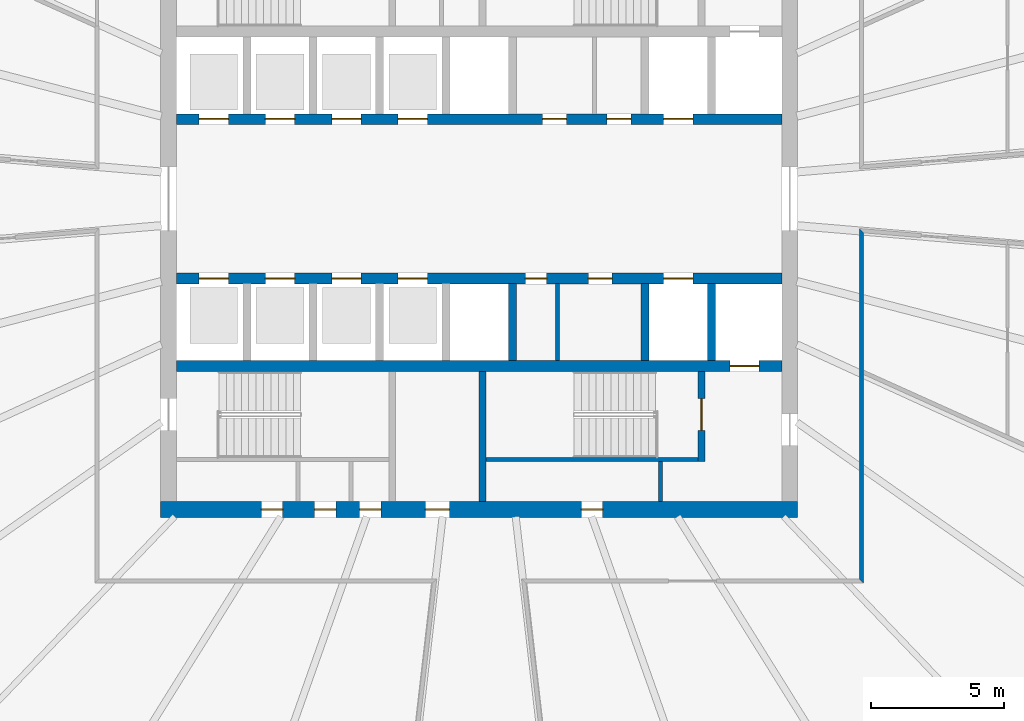
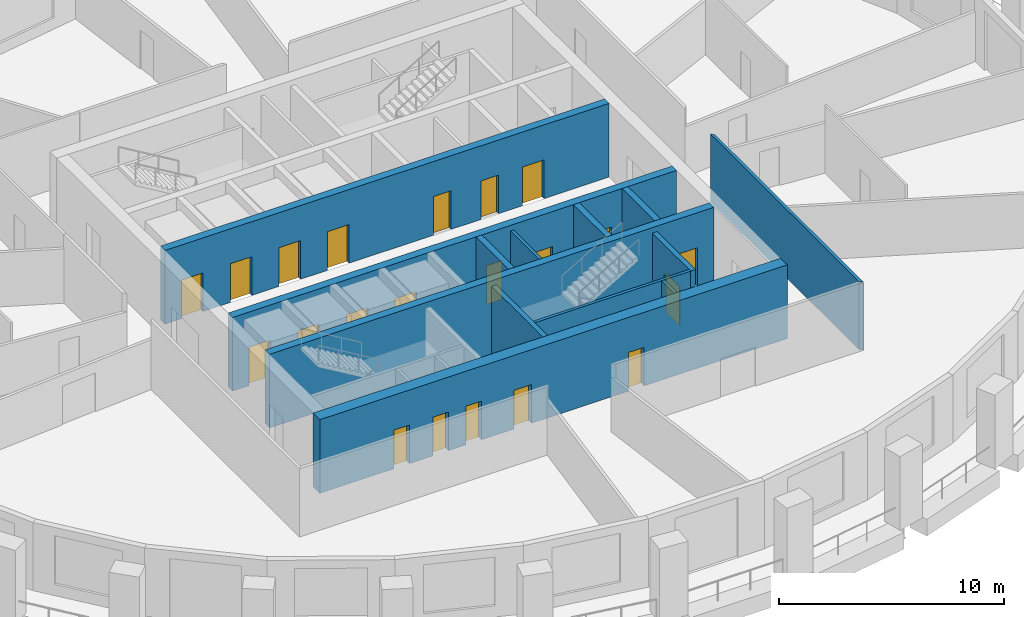
# One storey, part 4 of 10: 21 doors, 13 walls, 21 openings.
"""IFC4 building model written with IfcOpenShell, lengths in metres."""

from ifc_helpers import new_model, si_unit, direction, frame, frame_2d, origin, place, context, subcontext, project, spatial, polyline, rectangle, outline, extrude, material, layer, layer_set, type_object, element, fill, save


model = new_model("IFC4")

# Units and contexts
model_context = context("Model", 3, precision=1e-05, world=origin(), true_north=direction((0.0, 1.0)))
body_context = subcontext(model_context, "Body", "Model", "MODEL_VIEW")
ifc_project = project(units=[si_unit("LENGTHUNIT", "METRE"), si_unit("AREAUNIT", "SQUARE_METRE"), si_unit("VOLUMEUNIT", "CUBIC_METRE"), si_unit("PLANEANGLEUNIT", "RADIAN"), si_unit("MASSUNIT", "GRAM", prefix="KILO")], contexts=[model_context])

# Site, building, storey
site_placement = place(None, origin())
site = spatial("IfcSite", under=ifc_project, at=site_placement, CompositionType="ELEMENT")
building_placement = place(site_placement, origin())
building = spatial("IfcBuilding", under=site, at=building_placement, Name="Halqa Exchange Tower", CompositionType="ELEMENT")
storey_placement = place(building_placement, frame((0.0, 0.0, 186.89990234375)))
storey = spatial("IfcBuildingStorey", under=building, at=storey_placement, Name="L42", CompositionType="ELEMENT", Elevation=186.89990234375)

# Walls
ifc_material_1 = material(Name="Fire-rated gypsum board")
ifc_layer_1 = layer(ifc_material_1, 0.14990234375)
ifc_layer_set_1 = layer_set([ifc_layer_1], Name="Fire-rated gypsum board")
wall_type_1 = type_object("IfcWallType", Name="Fire partition EI 60 150", PredefinedType="PARTITIONING", material=ifc_layer_set_1)
wall_1_placement = place(storey_placement, frame((14.39990234375, -14.47509765625, 0.0), z_axis=(0.0, 0.0, 1.0), x_axis=(0.0, 1.0, 0.0)))
element("IfcWall", 1, at=wall_1_placement, inside=storey, type_object=wall_type_1, Name="L42-PWL-019", PredefinedType="PARTITIONING", context=body_context, shape_type="SweptSolid", body=[
    extrude(outline(polyline([(0.000244140625, -0.074951171875), (1.885009765625, -0.074951171875), (3.769775390625, -0.074951171875), (5.654541015625, -0.074951171875), (7.539306640625, -0.074951171875), (9.424072265625, -0.074951171875), (11.308837890625, -0.074951171875), (13.193603515625, -0.074951171875), (13.356689453125, 0.074951171875), (11.469970703125, 0.074951171875), (9.58349609375, 0.074951171875), (7.69677734375, 0.074951171875), (5.81005859375, 0.074951171875), (3.92333984375, 0.074951171875), (2.036865234375, 0.074951171875), (0.150146484375, 0.074951171875), (0.000244140625, -0.074951171875)])), origin(), (0.0, 0.0, 1.0), 3.7001953125),
])
ifc_material_2 = material(Name="Gypsum board")
ifc_layer_2 = layer(ifc_material_2, 0.14990234375)
ifc_layer_set_2 = layer_set([ifc_layer_2], Name="Gypsum board")
wall_type_2 = type_object("IfcWallType", Name="Penthouse riser wall 150 gypsum", PredefinedType="PARTITIONING", material=ifc_layer_set_2)
wall_2_placement = place(storey_placement, frame((6.824951171875, -11.39990234375, 0.0), z_axis=(0.0, 0.0, 1.0), x_axis=(0.0, 1.0, 0.0)))
element("IfcWall", 2, at=wall_2_placement, inside=storey, type_object=wall_type_2, Name="Firefighting lobby west wall S", PredefinedType="PARTITIONING", context=body_context, shape_type="SweptSolid", body=[
    extrude(rectangle(XDim=1.5, YDim=0.14990234375, at=frame_2d((0.75, 0.0))), origin(), (0.0, 0.0, 1.0), 3.7001953125),
])
wall_3_placement = place(storey_placement, frame((2.949951171875, -6.10009765625, 0.0), z_axis=(0.0, 0.0, 1.0), x_axis=(0.0, 1.0, 0.0)))
element("IfcWall", 3, at=wall_3_placement, inside=storey, type_object=wall_type_2, Name="Freed bay partition SE2.950", PredefinedType="PARTITIONING", context=body_context, shape_type="SweptSolid", body=[
    extrude(rectangle(XDim=2.900146484375, YDim=0.14990234375, at=frame_2d((1.4501953125, 0.0))), origin(), (0.0, 0.0, 1.0), 3.7001953125),
])
ifc_material_3 = material(Name="Concrete C60/75", Category="concrete")
ifc_layer_3 = layer(ifc_material_3, 0.300048828125)
ifc_layer_set_3 = layer_set([ifc_layer_3], Name="Concrete C60/75")
wall_type_3 = type_object("IfcWallType", Name="RC core wall 300", PredefinedType="SHEAR", material=ifc_layer_set_3)
for number, where, z_axis, x_axis, name in (
    (4, (1.25, -6.10009765625, 0.0), (0.0, 0.0, 1.0), (0.0, 1.0, 0.0), "Shaft divider S5"),
    (5, (6.25, -6.10009765625, 0.0), (0.0, 0.0, 1.0), (0.0, 1.0, 0.0), "Shaft divider S7"),
    (6, (8.75, -6.10009765625, 0.0), (0.0, 0.0, 1.0), (0.0, 1.0, 0.0), "Shaft divider S8"),
):
    element("IfcWall", number, at=place(storey_placement, frame(where, z_axis=z_axis, x_axis=x_axis)), inside=storey, type_object=wall_type_3, Name=name, PredefinedType="SHEAR", context=body_context, shape_type="SweptSolid", body=[
        extrude(rectangle(XDim=2.900146484375, YDim=0.300048828125, at=frame_2d((1.4501953125, 0.0))), origin(), (0.0, 0.0, 1.0), 4.0),
    ])

# Wall, openings, doors
ifc_material_4 = material(Name="Concrete C70/85", Category="concrete")
ifc_layer_4 = layer(ifc_material_4, 0.39990234375)
ifc_layer_set_4 = layer_set([ifc_layer_4], Name="Concrete C70/85")
wall_type_4 = type_object("IfcWallType", Name="RC core wall 400 C70/85", PredefinedType="SHEAR", material=ifc_layer_set_4)
wall_4_placement = place(storey_placement, frame((-11.39990234375, 3.0, 0.0), z_axis=(0.0, 0.0, 1.0), x_axis=(1.0, 0.0, 0.0)))
wall_4 = element("IfcWall", 7, at=wall_4_placement, inside=storey, type_object=wall_type_4, Name="Lift row front wall N", PredefinedType="SHEAR", context=body_context, shape_type="SweptSolid", body=[
    extrude(rectangle(XDim=22.7998046875, YDim=0.39990234375, at=frame_2d((11.39990234375, 0.0))), origin(), (0.0, 0.0, 1.0), 4.0),
])
opening_1_placement = place(wall_4_placement, frame((0.85009765625, 0.0, 0.0)))
opening_1 = element("IfcOpeningElement", 8, at=opening_1_placement, cuts=wall_4, Name="Opening LD-HR1-T12", PredefinedType="OPENING", context=body_context, shape_type="SweptSolid", body=[
    extrude(rectangle(XDim=1.10009765625, YDim=2.10009765625, at=frame_2d((0.550048828125, 1.050048828125))), frame((0.0, 0.2119140625, 0.0), z_axis=(0.0, -1.0, 0.0), x_axis=(1.0, 0.0, 0.0)), (0.0, 0.0, 1.0), 0.423828125),
])
opening_2_placement = place(wall_4_placement, frame((3.35009765625, 0.0, 0.0)))
opening_2 = element("IfcOpeningElement", 9, at=opening_2_placement, cuts=wall_4, Name="Opening LD-HR2-T12", PredefinedType="OPENING", context=body_context, shape_type="SweptSolid", body=[
    extrude(rectangle(XDim=1.10009765625, YDim=2.10009765625, at=frame_2d((0.550048828125, 1.050048828125))), frame((0.0, 0.2119140625, 0.0), z_axis=(0.0, -1.0, 0.0), x_axis=(1.0, 0.0, 0.0)), (0.0, 0.0, 1.0), 0.423828125),
])
opening_3_placement = place(wall_4_placement, frame((5.85009765625, 0.0, 0.0)))
opening_3 = element("IfcOpeningElement", 10, at=opening_3_placement, cuts=wall_4, Name="Opening LD-MR1-T12", PredefinedType="OPENING", context=body_context, shape_type="SweptSolid", body=[
    extrude(rectangle(XDim=1.10009765625, YDim=2.10009765625, at=frame_2d((0.550048828125, 1.050048828125))), frame((0.0, 0.2119140625, 0.0), z_axis=(0.0, -1.0, 0.0), x_axis=(1.0, 0.0, 0.0)), (0.0, 0.0, 1.0), 0.423828125),
])
opening_4_placement = place(wall_4_placement, frame((8.35009765625, 0.0, 0.0)))
opening_4 = element("IfcOpeningElement", 11, at=opening_4_placement, cuts=wall_4, Name="Opening LD-MR2-T12", PredefinedType="OPENING", context=body_context, shape_type="SweptSolid", body=[
    extrude(rectangle(XDim=1.10009765625, YDim=2.10009765625, at=frame_2d((0.550048828125, 1.050048828125))), frame((0.0, 0.2119140625, 0.0), z_axis=(0.0, -1.0, 0.0), x_axis=(1.0, 0.0, 0.0)), (0.0, 0.0, 1.0), 0.423828125),
])
opening_5_placement = place(wall_4_placement, frame((18.35009765625, 0.0, 0.0)))
opening_5 = element("IfcOpeningElement", 12, at=opening_5_placement, cuts=wall_4, Name="Opening LD-SV1-T12", PredefinedType="OPENING", context=body_context, shape_type="SweptSolid", body=[
    extrude(rectangle(XDim=1.10009765625, YDim=2.10009765625, at=frame_2d((0.550048828125, 1.050048828125))), frame((0.0, 0.2119140625, 0.0), z_axis=(0.0, -1.0, 0.0), x_axis=(1.0, 0.0, 0.0)), (0.0, 0.0, 1.0), 0.423828125),
])
opening_6_placement = place(wall_4_placement, frame((13.78759765625, 0.0, 0.0)))
opening_6 = element("IfcOpeningElement", 13, at=opening_6_placement, cuts=wall_4, Name="Opening T12-C31", PredefinedType="OPENING", context=body_context, shape_type="SweptSolid", body=[
    extrude(rectangle(XDim=0.89990234375, YDim=2.10009765625, at=frame_2d((0.449951171875, 1.050048828125))), frame((0.0, 0.2119140625, 0.0), z_axis=(0.0, -1.0, 0.0), x_axis=(1.0, 0.0, 0.0)), (0.0, 0.0, 1.0), 0.423828125),
])
opening_7_placement = place(wall_4_placement, frame((16.21240234375, 0.0, 0.0)))
opening_7 = element("IfcOpeningElement", 14, at=opening_7_placement, cuts=wall_4, Name="Opening T12-C32", PredefinedType="OPENING", context=body_context, shape_type="SweptSolid", body=[
    extrude(rectangle(XDim=0.89990234375, YDim=2.10009765625, at=frame_2d((0.449951171875, 1.050048828125))), frame((0.0, 0.2119140625, 0.0), z_axis=(0.0, -1.0, 0.0), x_axis=(1.0, 0.0, 0.0)), (0.0, 0.0, 1.0), 0.423828125),
])
ifc_material_5 = material(Name="Timber fire door leaf", Category="wood")
door_type_1 = type_object("IfcDoorType", Name="Core room door FD30 900 x 2100", OperationType="SINGLE_SWING_LEFT", PredefinedType="DOOR", material=ifc_material_5)
door_1_placement = place(opening_6_placement, origin())
door_1 = element("IfcDoor", 15, at=door_1_placement, inside=storey, type_object=door_type_1, Name="Core room door", OperationType="SINGLE_SWING_RIGHT", OverallHeight=2.10009765625, OverallWidth=0.89990234375, PredefinedType="DOOR", context=body_context, shape_type="SweptSolid", body=[
    extrude(rectangle(XDim=0.89990234375, YDim=2.10009765625, at=frame_2d((0.449951171875, 1.050048828125))), frame((0.0, 0.02490234375, 0.0), z_axis=(0.0, -1.0, 0.0), x_axis=(1.0, 0.0, 0.0)), (0.0, 0.0, 1.0), 0.050048828125),
])
fill(opening_6, door_1)
door_2_placement = place(opening_7_placement, origin())
door_2 = element("IfcDoor", 16, at=door_2_placement, inside=storey, type_object=door_type_1, Name="Core room door", OperationType="SINGLE_SWING_RIGHT", OverallHeight=2.10009765625, OverallWidth=0.89990234375, PredefinedType="DOOR", context=body_context, shape_type="SweptSolid", body=[
    extrude(rectangle(XDim=0.89990234375, YDim=2.10009765625, at=frame_2d((0.449951171875, 1.050048828125))), frame((0.0, 0.02490234375, 0.0), z_axis=(0.0, -1.0, 0.0), x_axis=(1.0, 0.0, 0.0)), (0.0, 0.0, 1.0), 0.050048828125),
])
fill(opening_7, door_2)
ifc_material_6 = material(Name="Stainless steel", Category="steel")
door_type_2 = type_object("IfcDoorType", Name="Lift landing door 1100 x 2100", OperationType="SLIDING_TO_LEFT", PredefinedType="DOOR", material=ifc_material_6)
door_3_placement = place(opening_1_placement, origin())
door_3 = element("IfcDoor", 17, at=door_3_placement, inside=storey, type_object=door_type_2, Name="Lift landing door HR1", OperationType="SLIDING_TO_LEFT", OverallHeight=2.10009765625, OverallWidth=1.10009765625, PredefinedType="DOOR", context=body_context, shape_type="SweptSolid", body=[
    extrude(rectangle(XDim=1.10009765625, YDim=2.10009765625, at=frame_2d((0.550048828125, 1.050048828125))), frame((0.0, 0.02490234375, 0.0), z_axis=(0.0, -1.0, 0.0), x_axis=(1.0, 0.0, 0.0)), (0.0, 0.0, 1.0), 0.050048828125),
])
fill(opening_1, door_3)
door_4_placement = place(opening_2_placement, origin())
door_4 = element("IfcDoor", 18, at=door_4_placement, inside=storey, type_object=door_type_2, Name="Lift landing door HR2", OperationType="SLIDING_TO_LEFT", OverallHeight=2.10009765625, OverallWidth=1.10009765625, PredefinedType="DOOR", context=body_context, shape_type="SweptSolid", body=[
    extrude(rectangle(XDim=1.10009765625, YDim=2.10009765625, at=frame_2d((0.550048828125, 1.050048828125))), frame((0.0, 0.02490234375, 0.0), z_axis=(0.0, -1.0, 0.0), x_axis=(1.0, 0.0, 0.0)), (0.0, 0.0, 1.0), 0.050048828125),
])
fill(opening_2, door_4)
door_5_placement = place(opening_3_placement, origin())
door_5 = element("IfcDoor", 19, at=door_5_placement, inside=storey, type_object=door_type_2, Name="Lift landing door MR1", OperationType="SLIDING_TO_LEFT", OverallHeight=2.10009765625, OverallWidth=1.10009765625, PredefinedType="DOOR", context=body_context, shape_type="SweptSolid", body=[
    extrude(rectangle(XDim=1.10009765625, YDim=2.10009765625, at=frame_2d((0.550048828125, 1.050048828125))), frame((0.0, 0.02490234375, 0.0), z_axis=(0.0, -1.0, 0.0), x_axis=(1.0, 0.0, 0.0)), (0.0, 0.0, 1.0), 0.050048828125),
])
fill(opening_3, door_5)
door_6_placement = place(opening_4_placement, origin())
door_6 = element("IfcDoor", 20, at=door_6_placement, inside=storey, type_object=door_type_2, Name="Lift landing door MR2", OperationType="SLIDING_TO_LEFT", OverallHeight=2.10009765625, OverallWidth=1.10009765625, PredefinedType="DOOR", context=body_context, shape_type="SweptSolid", body=[
    extrude(rectangle(XDim=1.10009765625, YDim=2.10009765625, at=frame_2d((0.550048828125, 1.050048828125))), frame((0.0, 0.02490234375, 0.0), z_axis=(0.0, -1.0, 0.0), x_axis=(1.0, 0.0, 0.0)), (0.0, 0.0, 1.0), 0.050048828125),
])
fill(opening_4, door_6)
door_7_placement = place(opening_5_placement, origin())
door_7 = element("IfcDoor", 21, at=door_7_placement, inside=storey, type_object=door_type_2, Name="Lift landing door SV1", OperationType="SLIDING_TO_LEFT", OverallHeight=2.10009765625, OverallWidth=1.10009765625, PredefinedType="DOOR", context=body_context, shape_type="SweptSolid", body=[
    extrude(rectangle(XDim=1.10009765625, YDim=2.10009765625, at=frame_2d((0.550048828125, 1.050048828125))), frame((0.0, 0.02490234375, 0.0), z_axis=(0.0, -1.0, 0.0), x_axis=(1.0, 0.0, 0.0)), (0.0, 0.0, 1.0), 0.050048828125),
])
fill(opening_5, door_7)

wall_5_placement = place(storey_placement, frame((-11.39990234375, -3.0, 0.0), z_axis=(0.0, 0.0, 1.0), x_axis=(1.0, 0.0, 0.0)))
wall_5 = element("IfcWall", 22, at=wall_5_placement, inside=storey, type_object=wall_type_4, Name="Lift row front wall S", PredefinedType="SHEAR", context=body_context, shape_type="SweptSolid", body=[
    extrude(rectangle(XDim=22.7998046875, YDim=0.39990234375, at=frame_2d((11.39990234375, 0.0))), origin(), (0.0, 0.0, 1.0), 4.0),
])
opening_8_placement = place(wall_5_placement, frame((0.85009765625, 0.0, 0.0)))
opening_8 = element("IfcOpeningElement", 23, at=opening_8_placement, cuts=wall_5, Name="Opening LD-HR3-T12", PredefinedType="OPENING", context=body_context, shape_type="SweptSolid", body=[
    extrude(rectangle(XDim=1.10009765625, YDim=2.10009765625, at=frame_2d((0.550048828125, 1.050048828125))), frame((0.0, 0.2119140625, 0.0), z_axis=(0.0, -1.0, 0.0), x_axis=(1.0, 0.0, 0.0)), (0.0, 0.0, 1.0), 0.423828125),
])
opening_9_placement = place(wall_5_placement, frame((3.35009765625, 0.0, 0.0)))
opening_9 = element("IfcOpeningElement", 24, at=opening_9_placement, cuts=wall_5, Name="Opening LD-HR4-T12", PredefinedType="OPENING", context=body_context, shape_type="SweptSolid", body=[
    extrude(rectangle(XDim=1.10009765625, YDim=2.10009765625, at=frame_2d((0.550048828125, 1.050048828125))), frame((0.0, 0.2119140625, 0.0), z_axis=(0.0, -1.0, 0.0), x_axis=(1.0, 0.0, 0.0)), (0.0, 0.0, 1.0), 0.423828125),
])
opening_10_placement = place(wall_5_placement, frame((5.85009765625, 0.0, 0.0)))
opening_10 = element("IfcOpeningElement", 25, at=opening_10_placement, cuts=wall_5, Name="Opening LD-MR3-T12", PredefinedType="OPENING", context=body_context, shape_type="SweptSolid", body=[
    extrude(rectangle(XDim=1.10009765625, YDim=2.10009765625, at=frame_2d((0.550048828125, 1.050048828125))), frame((0.0, 0.2119140625, 0.0), z_axis=(0.0, -1.0, 0.0), x_axis=(1.0, 0.0, 0.0)), (0.0, 0.0, 1.0), 0.423828125),
])
opening_11_placement = place(wall_5_placement, frame((8.35009765625, 0.0, 0.0)))
opening_11 = element("IfcOpeningElement", 26, at=opening_11_placement, cuts=wall_5, Name="Opening LD-MR4-T12", PredefinedType="OPENING", context=body_context, shape_type="SweptSolid", body=[
    extrude(rectangle(XDim=1.10009765625, YDim=2.10009765625, at=frame_2d((0.550048828125, 1.050048828125))), frame((0.0, 0.2119140625, 0.0), z_axis=(0.0, -1.0, 0.0), x_axis=(1.0, 0.0, 0.0)), (0.0, 0.0, 1.0), 0.423828125),
])
opening_12_placement = place(wall_5_placement, frame((18.35009765625, 0.0, 0.0)))
opening_12 = element("IfcOpeningElement", 27, at=opening_12_placement, cuts=wall_5, Name="Opening LD-SV2-T12", PredefinedType="OPENING", context=body_context, shape_type="SweptSolid", body=[
    extrude(rectangle(XDim=1.10009765625, YDim=2.10009765625, at=frame_2d((0.550048828125, 1.050048828125))), frame((0.0, 0.2119140625, 0.0), z_axis=(0.0, -1.0, 0.0), x_axis=(1.0, 0.0, 0.0)), (0.0, 0.0, 1.0), 0.423828125),
])
opening_13_placement = place(wall_5_placement, frame((13.137451171875, 0.0, 0.0)))
opening_13 = element("IfcOpeningElement", 28, at=opening_13_placement, cuts=wall_5, Name="Opening T12-C33", PredefinedType="OPENING", context=body_context, shape_type="SweptSolid", body=[
    extrude(rectangle(XDim=0.800048828125, YDim=2.10009765625, at=frame_2d((0.39990234375, 1.050048828125))), frame((0.0, 0.2119140625, 0.0), z_axis=(0.0, -1.0, 0.0), x_axis=(1.0, 0.0, 0.0)), (0.0, 0.0, 1.0), 0.423828125),
])
opening_14_placement = place(wall_5_placement, frame((15.512451171875, 0.0, 0.0)))
opening_14 = element("IfcOpeningElement", 29, at=opening_14_placement, cuts=wall_5, Name="Opening T12-C34", PredefinedType="OPENING", context=body_context, shape_type="SweptSolid", body=[
    extrude(rectangle(XDim=0.89990234375, YDim=2.10009765625, at=frame_2d((0.449951171875, 1.050048828125))), frame((0.0, 0.2119140625, 0.0), z_axis=(0.0, -1.0, 0.0), x_axis=(1.0, 0.0, 0.0)), (0.0, 0.0, 1.0), 0.423828125),
])
door_8_placement = place(opening_14_placement, frame((0.89990234375, 0.0, 0.0), z_axis=(0.0, 0.0, 1.0), x_axis=(-1.0, 0.0, 0.0)))
door_8 = element("IfcDoor", 30, at=door_8_placement, inside=storey, type_object=door_type_1, Name="Core room door", OperationType="SINGLE_SWING_RIGHT", OverallHeight=2.10009765625, OverallWidth=0.89990234375, PredefinedType="DOOR", context=body_context, shape_type="SweptSolid", body=[
    extrude(rectangle(XDim=0.89990234375, YDim=2.10009765625, at=frame_2d((0.449951171875, 1.050048828125))), frame((0.0, 0.02490234375, 0.0), z_axis=(0.0, -1.0, 0.0), x_axis=(1.0, 0.0, 0.0)), (0.0, 0.0, 1.0), 0.050048828125),
])
fill(opening_14, door_8)
door_9_placement = place(opening_8_placement, origin())
door_9 = element("IfcDoor", 31, at=door_9_placement, inside=storey, type_object=door_type_2, Name="Lift landing door HR3", OperationType="SLIDING_TO_LEFT", OverallHeight=2.10009765625, OverallWidth=1.10009765625, PredefinedType="DOOR", context=body_context, shape_type="SweptSolid", body=[
    extrude(rectangle(XDim=1.10009765625, YDim=2.10009765625, at=frame_2d((0.550048828125, 1.050048828125))), frame((0.0, 0.02490234375, 0.0), z_axis=(0.0, -1.0, 0.0), x_axis=(1.0, 0.0, 0.0)), (0.0, 0.0, 1.0), 0.050048828125),
])
fill(opening_8, door_9)
door_10_placement = place(opening_9_placement, origin())
door_10 = element("IfcDoor", 32, at=door_10_placement, inside=storey, type_object=door_type_2, Name="Lift landing door HR4", OperationType="SLIDING_TO_LEFT", OverallHeight=2.10009765625, OverallWidth=1.10009765625, PredefinedType="DOOR", context=body_context, shape_type="SweptSolid", body=[
    extrude(rectangle(XDim=1.10009765625, YDim=2.10009765625, at=frame_2d((0.550048828125, 1.050048828125))), frame((0.0, 0.02490234375, 0.0), z_axis=(0.0, -1.0, 0.0), x_axis=(1.0, 0.0, 0.0)), (0.0, 0.0, 1.0), 0.050048828125),
])
fill(opening_9, door_10)
door_11_placement = place(opening_10_placement, origin())
door_11 = element("IfcDoor", 33, at=door_11_placement, inside=storey, type_object=door_type_2, Name="Lift landing door MR3", OperationType="SLIDING_TO_LEFT", OverallHeight=2.10009765625, OverallWidth=1.10009765625, PredefinedType="DOOR", context=body_context, shape_type="SweptSolid", body=[
    extrude(rectangle(XDim=1.10009765625, YDim=2.10009765625, at=frame_2d((0.550048828125, 1.050048828125))), frame((0.0, 0.02490234375, 0.0), z_axis=(0.0, -1.0, 0.0), x_axis=(1.0, 0.0, 0.0)), (0.0, 0.0, 1.0), 0.050048828125),
])
fill(opening_10, door_11)
door_12_placement = place(opening_11_placement, origin())
door_12 = element("IfcDoor", 34, at=door_12_placement, inside=storey, type_object=door_type_2, Name="Lift landing door MR4", OperationType="SLIDING_TO_LEFT", OverallHeight=2.10009765625, OverallWidth=1.10009765625, PredefinedType="DOOR", context=body_context, shape_type="SweptSolid", body=[
    extrude(rectangle(XDim=1.10009765625, YDim=2.10009765625, at=frame_2d((0.550048828125, 1.050048828125))), frame((0.0, 0.02490234375, 0.0), z_axis=(0.0, -1.0, 0.0), x_axis=(1.0, 0.0, 0.0)), (0.0, 0.0, 1.0), 0.050048828125),
])
fill(opening_11, door_12)
door_13_placement = place(opening_12_placement, origin())
door_13 = element("IfcDoor", 35, at=door_13_placement, inside=storey, type_object=door_type_2, Name="Lift landing door SV2", OperationType="SLIDING_TO_LEFT", OverallHeight=2.10009765625, OverallWidth=1.10009765625, PredefinedType="DOOR", context=body_context, shape_type="SweptSolid", body=[
    extrude(rectangle(XDim=1.10009765625, YDim=2.10009765625, at=frame_2d((0.550048828125, 1.050048828125))), frame((0.0, 0.02490234375, 0.0), z_axis=(0.0, -1.0, 0.0), x_axis=(1.0, 0.0, 0.0)), (0.0, 0.0, 1.0), 0.050048828125),
])
fill(opening_12, door_13)
ifc_material_7 = material(Name="Steel fire door leaf", Category="steel")
door_type_3 = type_object("IfcDoorType", Name="Riser door FD60 800 x 2100", OperationType="SINGLE_SWING_LEFT", PredefinedType="DOOR", material=ifc_material_7)
door_14_placement = place(opening_13_placement, frame((0.800048828125, 0.0, 0.0), z_axis=(0.0, 0.0, 1.0), x_axis=(-1.0, 0.0, 0.0)))
door_14 = element("IfcDoor", 36, at=door_14_placement, inside=storey, type_object=door_type_3, Name="Core room door", OperationType="SINGLE_SWING_LEFT", OverallHeight=2.10009765625, OverallWidth=0.800048828125, PredefinedType="DOOR", context=body_context, shape_type="SweptSolid", body=[
    extrude(rectangle(XDim=0.800048828125, YDim=2.10009765625, at=frame_2d((0.39990234375, 1.050048828125))), frame((0.0, 0.02490234375, 0.0), z_axis=(0.0, -1.0, 0.0), x_axis=(1.0, 0.0, 0.0)), (0.0, 0.0, 1.0), 0.050048828125),
])
fill(opening_13, door_14)

# Wall, opening, door
wall_6_placement = place(storey_placement, frame((-11.39990234375, -6.300048828125, 0.0), z_axis=(0.0, 0.0, 1.0), x_axis=(1.0, 0.0, 0.0)))
wall_6 = element("IfcWall", 37, at=wall_6_placement, inside=storey, type_object=wall_type_4, Name="Lift row back wall S", PredefinedType="SHEAR", context=body_context, shape_type="SweptSolid", body=[
    extrude(rectangle(XDim=22.7998046875, YDim=0.39990234375, at=frame_2d((11.39990234375, 0.0))), origin(), (0.0, 0.0, 1.0), 4.0),
])
opening_15_placement = place(wall_6_placement, frame((20.85009765625, 0.0, 0.0)))
opening_15 = element("IfcOpeningElement", 38, at=opening_15_placement, cuts=wall_6, Name="Opening LD-FF2-T12", PredefinedType="OPENING", context=body_context, shape_type="SweptSolid", body=[
    extrude(rectangle(XDim=1.10009765625, YDim=2.10009765625, at=frame_2d((0.550048828125, 1.050048828125))), frame((0.0, 0.2119140625, 0.0), z_axis=(0.0, -1.0, 0.0), x_axis=(1.0, 0.0, 0.0)), (0.0, 0.0, 1.0), 0.423828125),
])
door_15_placement = place(opening_15_placement, origin())
door_15 = element("IfcDoor", 39, at=door_15_placement, inside=storey, type_object=door_type_2, Name="Lift landing door FF2", OperationType="SLIDING_TO_LEFT", OverallHeight=2.10009765625, OverallWidth=1.10009765625, PredefinedType="DOOR", context=body_context, shape_type="SweptSolid", body=[
    extrude(rectangle(XDim=1.10009765625, YDim=2.10009765625, at=frame_2d((0.550048828125, 1.050048828125))), frame((0.0, 0.02490234375, 0.0), z_axis=(0.0, -1.0, 0.0), x_axis=(1.0, 0.0, 0.0)), (0.0, 0.0, 1.0), 0.050048828125),
])
fill(opening_15, door_15)

# Wall, openings, doors
ifc_layer_5 = layer(ifc_material_4, 0.60009765625)
ifc_layer_set_5 = layer_set([ifc_layer_5], Name="Concrete C70/85")
wall_type_5 = type_object("IfcWallType", Name="RC core wall 600 C70/85", PredefinedType="SHEAR", material=ifc_layer_set_5)
wall_7_placement = place(storey_placement, frame((-12.0, -11.699951171875, 0.0), z_axis=(0.0, 0.0, 1.0), x_axis=(1.0, 0.0, 0.0)))
wall_7 = element("IfcWall", 40, at=wall_7_placement, inside=storey, type_object=wall_type_5, Name="Core wall south", PredefinedType="SHEAR", context=body_context, shape_type="SweptSolid", body=[
    extrude(rectangle(XDim=24.0, YDim=0.60009765625, at=frame_2d((12.0, 0.0))), origin(), (0.0, 0.0, 1.0), 4.0),
])
opening_16_placement = place(wall_7_placement, frame((9.97509765625, 0.0, 0.0)))
opening_16 = element("IfcOpeningElement", 41, at=opening_16_placement, cuts=wall_7, Name="Opening T12-C26", PredefinedType="OPENING", context=body_context, shape_type="SweptSolid", body=[
    extrude(rectangle(XDim=0.89990234375, YDim=2.10009765625, at=frame_2d((0.449951171875, 1.050048828125))), frame((0.0, 0.31201171875, 0.0), z_axis=(0.0, -1.0, 0.0), x_axis=(1.0, 0.0, 0.0)), (0.0, 0.0, 1.0), 0.6240234375),
])
opening_17_placement = place(wall_7_placement, frame((3.800048828125, 0.0, 0.0)))
opening_17 = element("IfcOpeningElement", 42, at=opening_17_placement, cuts=wall_7, Name="Opening T12-C27", PredefinedType="OPENING", context=body_context, shape_type="SweptSolid", body=[
    extrude(rectangle(XDim=0.800048828125, YDim=2.10009765625, at=frame_2d((0.39990234375, 1.050048828125))), frame((0.0, 0.31201171875, 0.0), z_axis=(0.0, -1.0, 0.0), x_axis=(1.0, 0.0, 0.0)), (0.0, 0.0, 1.0), 0.6240234375),
])
opening_18_placement = place(wall_7_placement, frame((5.800048828125, 0.0, 0.0)))
opening_18 = element("IfcOpeningElement", 43, at=opening_18_placement, cuts=wall_7, Name="Opening T12-C28", PredefinedType="OPENING", context=body_context, shape_type="SweptSolid", body=[
    extrude(rectangle(XDim=0.800048828125, YDim=2.10009765625, at=frame_2d((0.39990234375, 1.050048828125))), frame((0.0, 0.31201171875, 0.0), z_axis=(0.0, -1.0, 0.0), x_axis=(1.0, 0.0, 0.0)), (0.0, 0.0, 1.0), 0.6240234375),
])
opening_19_placement = place(wall_7_placement, frame((7.5, 0.0, 0.0)))
opening_19 = element("IfcOpeningElement", 44, at=opening_19_placement, cuts=wall_7, Name="Opening T12-C29", PredefinedType="OPENING", context=body_context, shape_type="SweptSolid", body=[
    extrude(rectangle(XDim=0.800048828125, YDim=2.10009765625, at=frame_2d((0.39990234375, 1.050048828125))), frame((0.0, 0.31201171875, 0.0), z_axis=(0.0, -1.0, 0.0), x_axis=(1.0, 0.0, 0.0)), (0.0, 0.0, 1.0), 0.6240234375),
])
opening_20_placement = place(wall_7_placement, frame((15.85009765625, 0.0, 0.0)))
opening_20 = element("IfcOpeningElement", 45, at=opening_20_placement, cuts=wall_7, Name="Opening T12-C30", PredefinedType="OPENING", context=body_context, shape_type="SweptSolid", body=[
    extrude(rectangle(XDim=0.800048828125, YDim=2.10009765625, at=frame_2d((0.39990234375, 1.050048828125))), frame((0.0, 0.31201171875, 0.0), z_axis=(0.0, -1.0, 0.0), x_axis=(1.0, 0.0, 0.0)), (0.0, 0.0, 1.0), 0.6240234375),
])
door_16_placement = place(opening_16_placement, origin())
door_16 = element("IfcDoor", 46, at=door_16_placement, inside=storey, type_object=door_type_1, Name="Core room door", OperationType="SINGLE_SWING_RIGHT", OverallHeight=2.10009765625, OverallWidth=0.89990234375, PredefinedType="DOOR", context=body_context, shape_type="SweptSolid", body=[
    extrude(rectangle(XDim=0.89990234375, YDim=2.10009765625, at=frame_2d((0.449951171875, 1.050048828125))), frame((0.0, 0.02490234375, 0.0), z_axis=(0.0, -1.0, 0.0), x_axis=(1.0, 0.0, 0.0)), (0.0, 0.0, 1.0), 0.050048828125),
])
fill(opening_16, door_16)
door_17_placement = place(opening_17_placement, origin())
door_17 = element("IfcDoor", 47, at=door_17_placement, inside=storey, type_object=door_type_3, Name="Core room door", OperationType="SINGLE_SWING_LEFT", OverallHeight=2.10009765625, OverallWidth=0.800048828125, PredefinedType="DOOR", context=body_context, shape_type="SweptSolid", body=[
    extrude(rectangle(XDim=0.800048828125, YDim=2.10009765625, at=frame_2d((0.39990234375, 1.050048828125))), frame((0.0, 0.02490234375, 0.0), z_axis=(0.0, -1.0, 0.0), x_axis=(1.0, 0.0, 0.0)), (0.0, 0.0, 1.0), 0.050048828125),
])
fill(opening_17, door_17)
door_18_placement = place(opening_18_placement, origin())
door_18 = element("IfcDoor", 48, at=door_18_placement, inside=storey, type_object=door_type_3, Name="Core room door", OperationType="SINGLE_SWING_LEFT", OverallHeight=2.10009765625, OverallWidth=0.800048828125, PredefinedType="DOOR", context=body_context, shape_type="SweptSolid", body=[
    extrude(rectangle(XDim=0.800048828125, YDim=2.10009765625, at=frame_2d((0.39990234375, 1.050048828125))), frame((0.0, 0.02490234375, 0.0), z_axis=(0.0, -1.0, 0.0), x_axis=(1.0, 0.0, 0.0)), (0.0, 0.0, 1.0), 0.050048828125),
])
fill(opening_18, door_18)
door_19_placement = place(opening_19_placement, origin())
door_19 = element("IfcDoor", 49, at=door_19_placement, inside=storey, type_object=door_type_3, Name="Core room door", OperationType="SINGLE_SWING_LEFT", OverallHeight=2.10009765625, OverallWidth=0.800048828125, PredefinedType="DOOR", context=body_context, shape_type="SweptSolid", body=[
    extrude(rectangle(XDim=0.800048828125, YDim=2.10009765625, at=frame_2d((0.39990234375, 1.050048828125))), frame((0.0, 0.02490234375, 0.0), z_axis=(0.0, -1.0, 0.0), x_axis=(1.0, 0.0, 0.0)), (0.0, 0.0, 1.0), 0.050048828125),
])
fill(opening_19, door_19)
door_20_placement = place(opening_20_placement, origin())
door_20 = element("IfcDoor", 50, at=door_20_placement, inside=storey, type_object=door_type_3, Name="Core room door", OperationType="SINGLE_SWING_LEFT", OverallHeight=2.10009765625, OverallWidth=0.800048828125, PredefinedType="DOOR", context=body_context, shape_type="SweptSolid", body=[
    extrude(rectangle(XDim=0.800048828125, YDim=2.10009765625, at=frame_2d((0.39990234375, 1.050048828125))), frame((0.0, 0.02490234375, 0.0), z_axis=(0.0, -1.0, 0.0), x_axis=(1.0, 0.0, 0.0)), (0.0, 0.0, 1.0), 0.050048828125),
])
fill(opening_20, door_20)

# Walls
ifc_material_8 = material(Name="Concrete C30/37", Category="concrete")
ifc_layer_6 = layer(ifc_material_8, 0.14990234375)
ifc_layer_set_6 = layer_set([ifc_layer_6], Name="Concrete C30/37")
wall_type_6 = type_object("IfcWallType", Name="RC stair wall 150 C30/37", PredefinedType="SHEAR", material=ifc_layer_set_6)
wall_8_placement = place(storey_placement, frame((0.25, -9.824951171875, 0.0), z_axis=(0.0, 0.0, 1.0), x_axis=(1.0, 0.0, 0.0)))
element("IfcWall", 51, at=wall_8_placement, inside=storey, type_object=wall_type_6, Name="Stair ST2 north wall S", PredefinedType="SHEAR", context=body_context, shape_type="SweptSolid", body=[
    extrude(rectangle(XDim=8.0, YDim=0.14990234375, at=frame_2d((4.0, 0.0))), origin(), (0.0, 0.0, 1.0), 3.7001953125),
])
ifc_layer_7 = layer(ifc_material_8, 0.25)
ifc_layer_set_7 = layer_set([ifc_layer_7], Name="Concrete C30/37")
wall_type_7 = type_object("IfcWallType", Name="RC stair wall 250 C30/37", PredefinedType="SHEAR", material=ifc_layer_set_7)
wall_9_placement = place(storey_placement, frame((0.125, -11.39990234375, 0.0), z_axis=(0.0, 0.0, 1.0), x_axis=(0.0, 1.0, 0.0)))
element("IfcWall", 52, at=wall_9_placement, inside=storey, type_object=wall_type_7, Name="Stair ST2 west wall S", PredefinedType="SHEAR", context=body_context, shape_type="SweptSolid", body=[
    extrude(rectangle(XDim=4.89990234375, YDim=0.25, at=frame_2d((2.449951171875, 0.0))), origin(), (0.0, 0.0, 1.0), 3.7001953125),
])

# Wall, opening, door
wall_10_placement = place(storey_placement, frame((8.375, -9.89990234375, 0.0), z_axis=(0.0, 0.0, 1.0), x_axis=(0.0, 1.0, 0.0)))
wall_10 = element("IfcWall", 53, at=wall_10_placement, inside=storey, type_object=wall_type_7, Name="Stair ST2 east wall S", PredefinedType="SHEAR", context=body_context, shape_type="SweptSolid", body=[
    extrude(rectangle(XDim=3.39990234375, YDim=0.25, at=frame_2d((1.699951171875, 0.0))), origin(), (0.0, 0.0, 1.0), 3.7001953125),
])
opening_21_placement = place(wall_10_placement, frame((1.175048828125, 0.0, 0.0)))
opening_21 = element("IfcOpeningElement", 54, at=opening_21_placement, cuts=wall_10, Name="Opening T12-C18", PredefinedType="OPENING", context=body_context, shape_type="SweptSolid", body=[
    extrude(rectangle(XDim=1.199951171875, YDim=2.10009765625, at=frame_2d((0.60009765625, 1.050048828125))), frame((0.0, 0.136962890625, 0.0), z_axis=(0.0, -1.0, 0.0), x_axis=(1.0, 0.0, 0.0)), (0.0, 0.0, 1.0), 0.27392578125),
])
door_type_4 = type_object("IfcDoorType", Name="Stair door FD90 1200 x 2100", OperationType="SINGLE_SWING_LEFT", PredefinedType="DOOR", material=ifc_material_7)
door_21_placement = place(opening_21_placement, origin())
door_21 = element("IfcDoor", 55, at=door_21_placement, inside=storey, type_object=door_type_4, Name="Stair door ST4", OperationType="SINGLE_SWING_RIGHT", OverallHeight=2.10009765625, OverallWidth=1.199951171875, PredefinedType="DOOR", context=body_context, shape_type="SweptSolid", body=[
    extrude(rectangle(XDim=1.199951171875, YDim=2.10009765625, at=frame_2d((0.60009765625, 1.050048828125))), frame((0.0, 0.02490234375, 0.0), z_axis=(0.0, -1.0, 0.0), x_axis=(1.0, 0.0, 0.0)), (0.0, 0.0, 1.0), 0.050048828125),
])
fill(opening_21, door_21)

save(model, "model.ifc")
